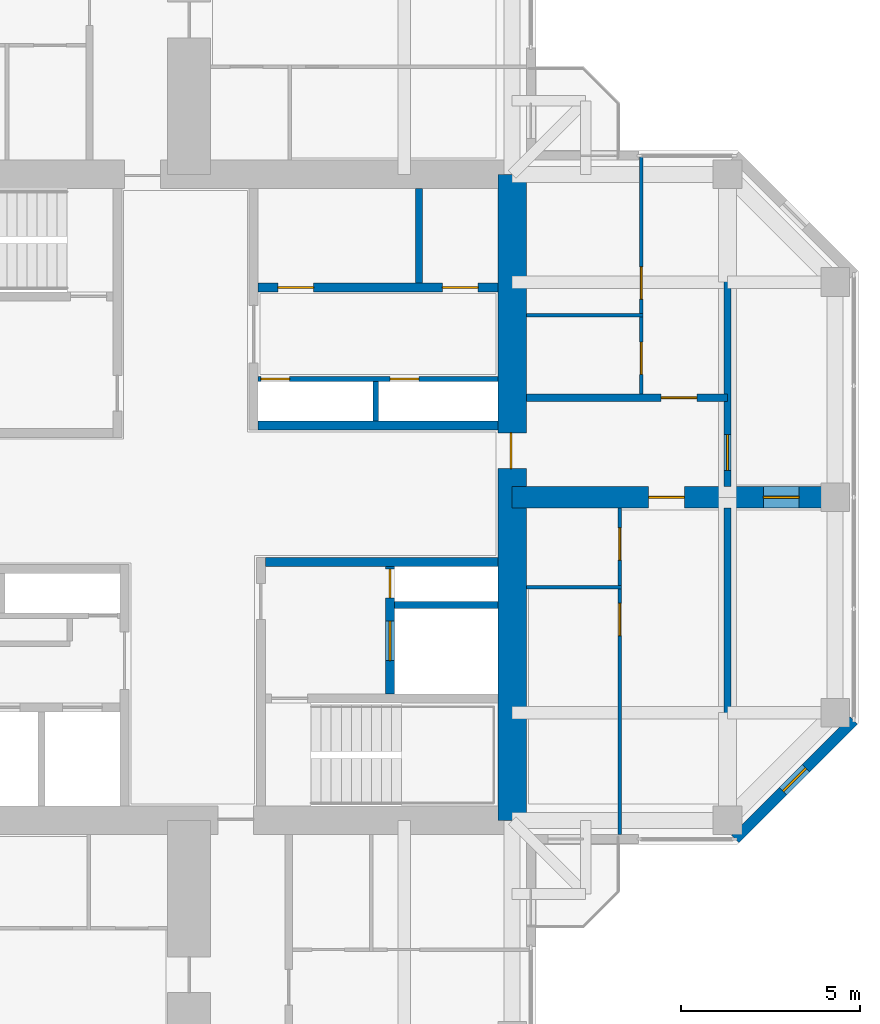
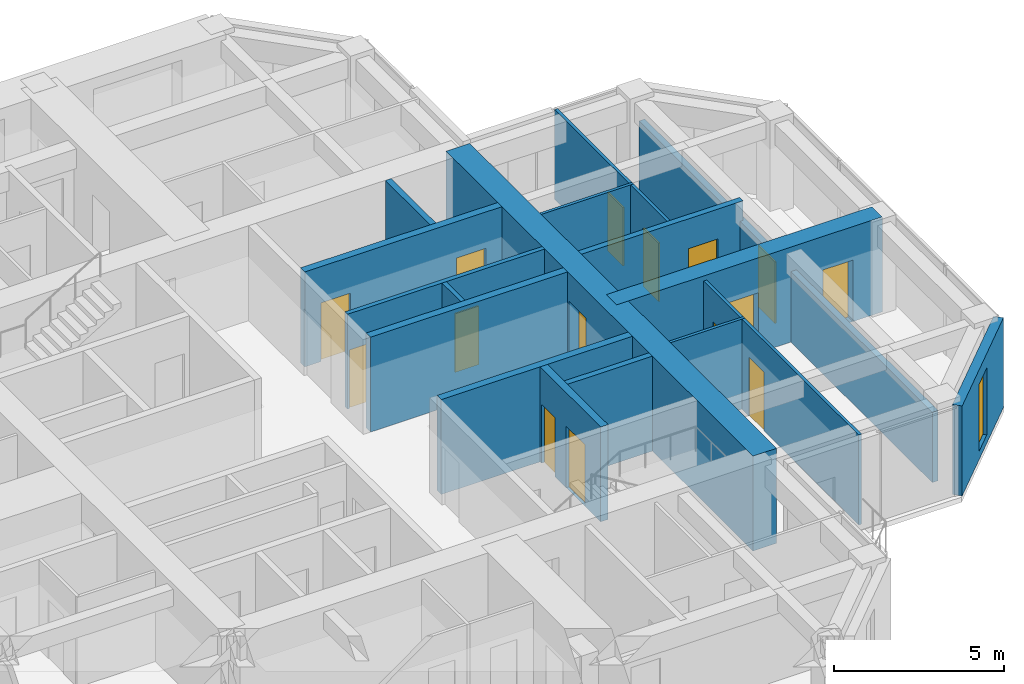
# One storey, part 11 of 13: 18 walls, 15 doors, 1 window, 16 openings.
"""IFC4 building model written with IfcOpenShell, lengths in metres."""

import ifcopenshell
import ifcopenshell.guid

model = None  # the IFC model being written
_history = None  # IfcOwnerHistory: only IFC2X3 demands one
_inside = {}  # id of a spatial element -> (the spatial element, [elements in it])
_under = {}  # id of a project, library or spatial element -> (it, [spatial elements below it])
_declared = {}  # id of a project -> (the project, [libraries it declares])
_typed = {}  # id of a type object -> (the type object, [elements of that type])
_made_of = {}  # id of a material, layer set ... -> (it, [elements and type objects made of it])


def new_model(schema):
    """Start an empty IFC model of exactly this schema.

    Asked for "IFC4X3", IfcOpenShell would pick the latest addendum, in which some entities
    have other attributes; the version numbers below select the first issue.
    IFC2X3 requires an IfcOwnerHistory on every rooted entity: one is made here for all.
    """
    global model, _history
    if schema == "IFC4X3":
        model = ifcopenshell.file(schema_version=(4, 3, 0, 0))
    else:
        model = ifcopenshell.file(schema=schema)
    _inside.clear()
    _under.clear()
    _declared.clear()
    _typed.clear()
    _made_of.clear()
    _history = None
    if model.schema == "IFC2X3":
        org = make("IfcOrganization", Name="unknown")
        user = make(
            "IfcPersonAndOrganization",
            ThePerson=make("IfcPerson", FamilyName="unknown"),
            TheOrganization=org,
        )
        app = make(
            "IfcApplication",
            ApplicationDeveloper=org,
            Version="unknown",
            ApplicationFullName="unknown",
            ApplicationIdentifier="unknown",
        )
        _history = make(
            "IfcOwnerHistory",
            OwningUser=user,
            OwningApplication=app,
            ChangeAction="ADDED",
            CreationDate=0,
        )
    return model


def make(cls, **values):
    """One entity of the class cls with the attributes given. An attribute that is None is left unset."""
    return model.create_entity(
        cls, **{name: value for name, value in values.items() if value is not None}
    )


def rooted(cls, **values):
    """An entity with a GlobalId (a new one), such as an element, a storey or a relation."""
    return make(cls, GlobalId=ifcopenshell.guid.new(), OwnerHistory=_history, **values)


def si_unit(unit_type, name, prefix=None):
    """IfcSIUnit, for example si_unit("LENGTHUNIT", "METRE", prefix="MILLI")."""
    return make("IfcSIUnit", UnitType=unit_type, Prefix=prefix, Name=name)


def assignment(units):
    """IfcUnitAssignment: the units of a project."""
    return None if units is None else make("IfcUnitAssignment", Units=units)


def point(xyz):
    """IfcCartesianPoint."""
    return None if xyz is None else make("IfcCartesianPoint", Coordinates=xyz)


def direction(xyz):
    """IfcDirection."""
    return None if xyz is None else make("IfcDirection", DirectionRatios=xyz)


def frame(location, z_axis=None, x_axis=None):
    """IfcAxis2Placement3D, a coordinate frame: its origin and axes. An axis left out is left unset."""
    return make(
        "IfcAxis2Placement3D",
        Location=point(location),
        Axis=direction(z_axis),
        RefDirection=direction(x_axis),
    )


def frame_2d(location, x_axis=None):
    """IfcAxis2Placement2D, a coordinate frame in the plane: its origin and x axis."""
    return make(
        "IfcAxis2Placement2D", Location=point(location), RefDirection=direction(x_axis)
    )


def origin():
    """The frame at (0, 0, 0) with its axes left unset."""
    return frame((0.0, 0.0, 0.0))


def place(relative_to, where):
    """IfcLocalPlacement: puts the frame where relative to a parent placement (None: the world)."""
    return make(
        "IfcLocalPlacement", PlacementRelTo=relative_to, RelativePlacement=where
    )


def context(
    kind, dimensions, precision=None, world=None, true_north=None, identifier=None
):
    """IfcGeometricRepresentationContext, for example the 3D "Model" context."""
    return make(
        "IfcGeometricRepresentationContext",
        ContextIdentifier=identifier,
        ContextType=kind,
        CoordinateSpaceDimension=dimensions,
        Precision=precision,
        WorldCoordinateSystem=world,
        TrueNorth=true_north,
    )


def subcontext(parent, identifier, kind, view, scale=None):
    """IfcGeometricRepresentationSubContext, for example "Body" below "Model"."""
    return make(
        "IfcGeometricRepresentationSubContext",
        ContextIdentifier=identifier,
        ContextType=kind,
        ParentContext=parent,
        TargetScale=scale,
        TargetView=view,
    )


def project(units=None, contexts=None):
    """IfcProject with its units and contexts."""
    return rooted(
        "IfcProject",
        Name="project",
        RepresentationContexts=contexts,
        UnitsInContext=assignment(units),
    )


def spatial(cls, under=None, at=None, **own):
    """A site, building, storey or space (cls), placed at a placement, below another one or the project."""
    s = rooted(cls, ObjectPlacement=at, **own)
    if under is not None:
        _under.setdefault(under.id(), (under, []))[1].append(s)
    return s


def profile(cls, at=None, kind="AREA", **sizes):
    """A parametric profile (cls). Its sizes go by their IFC names, for example OverallWidth=200.0."""
    return make(cls, ProfileType=kind, Position=at, **sizes)


def rectangle(**sizes):
    """IfcRectangleProfileDef."""
    return profile("IfcRectangleProfileDef", **sizes)


def hollow_rectangle(**sizes):
    """IfcRectangleHollowProfileDef."""
    return profile("IfcRectangleHollowProfileDef", **sizes)


def extrude(swept, where, along, depth):
    """IfcExtrudedAreaSolid: the profile swept, set in the frame where, extruded along a direction by depth."""
    return make(
        "IfcExtrudedAreaSolid",
        SweptArea=swept,
        Position=where,
        ExtrudedDirection=direction(along),
        Depth=depth,
    )


def shape(context_of_items, identifier, shape_type, items):
    """IfcShapeRepresentation: the items that make up one representation, for example the "Body"."""
    return make(
        "IfcShapeRepresentation",
        ContextOfItems=context_of_items,
        RepresentationIdentifier=identifier,
        RepresentationType=shape_type,
        Items=items,
    )


def material(Name=None, Category=None):
    """IfcMaterial."""
    return make("IfcMaterial", Name=Name, Category=Category)


def layer(
    of_material, thickness, ventilated=None, Name=None, Category=None, Priority=None
):
    """IfcMaterialLayer: one layer of a wall or slab, of a material (None: an air gap)."""
    return make(
        "IfcMaterialLayer",
        Material=of_material,
        LayerThickness=thickness,
        IsVentilated=ventilated,
        Name=Name,
        Category=Category,
        Priority=Priority,
    )


def layer_set(layers, Name=None):
    """IfcMaterialLayerSet."""
    return make("IfcMaterialLayerSet", MaterialLayers=layers, LayerSetName=Name)


def constituent(of_material, Name=None, Category=None, fraction=None):
    """IfcMaterialConstituent: one of the materials an element consists of."""
    return make(
        "IfcMaterialConstituent",
        Name=Name,
        Material=of_material,
        Fraction=fraction,
        Category=Category,
    )


def constituent_set(constituents=None, Name=None):
    """IfcMaterialConstituentSet."""
    return make(
        "IfcMaterialConstituentSet", Name=Name, MaterialConstituents=constituents
    )


def made_of(thing, what):
    """Note that an element or type object is made of a material, layer set ...; save() writes the relation."""
    if what is not None:
        _made_of.setdefault(what.id(), (what, []))[1].append(thing)
    return thing


def type_object(cls, material=None, **own):
    """A type object (cls), such as IfcWallType, which elements share."""
    return made_of(rooted(cls, **own), material)


def element(
    cls,
    number,
    at=None,
    inside=None,
    cuts=None,
    type_object=None,
    material=None,
    context=None,
    identifier="Body",
    shape_type=None,
    held_by="IfcProductDefinitionShape",
    body=None,
    shapes=None,
    **own,
):
    """One element of the class cls, such as IfcWall. Its Tag is "e" and its number.

    at: its placement. inside: the storey or other place that contains it. cuts: it is an
    opening in that element (IfcRelVoidsElement). A single representation is given by context,
    identifier, shape_type and body (its items); several are given by shapes. held_by: the class
    of the entity that holds the representations. save() writes the other relations.
    """
    e = rooted(cls, Tag="e%d" % number, ObjectPlacement=at, **own)
    if body is not None:
        shapes = [shape(context, identifier, shape_type, body)]
    if shapes is not None:
        e.Representation = make(held_by, Representations=shapes)
    if inside is not None:
        _inside.setdefault(inside.id(), (inside, []))[1].append(e)
    if cuts is not None:
        rooted(
            "IfcRelVoidsElement", RelatingBuildingElement=cuts, RelatedOpeningElement=e
        )
    if type_object is not None:
        _typed.setdefault(type_object.id(), (type_object, []))[1].append(e)
    return made_of(e, material)


def fill(opening, filler):
    """IfcRelFillsElement: the door or window that sits in an opening."""
    return rooted(
        "IfcRelFillsElement",
        RelatingOpeningElement=opening,
        RelatedBuildingElement=filler,
    )


def aggregate(whole, parts):
    """IfcRelAggregates: a whole, such as a stair, and the parts it consists of."""
    return rooted("IfcRelAggregates", RelatingObject=whole, RelatedObjects=parts)


def save(model, path):
    """Write the relations noted so far, then the file.

    IfcRelAggregates (storeys below a building ...), IfcRelContainedInSpatialStructure (elements
    in a storey), IfcRelDefinesByType, IfcRelAssociatesMaterial and IfcRelDeclares: one each for
    every whole, place, type object, material and project.
    """
    for whole, parts in _under.values():
        aggregate(whole, parts)
    for where, things in _inside.values():
        rooted(
            "IfcRelContainedInSpatialStructure",
            RelatedElements=things,
            RelatingStructure=where,
        )
    for kind, things in _typed.values():
        rooted("IfcRelDefinesByType", RelatedObjects=things, RelatingType=kind)
    for what, things in _made_of.values():
        rooted("IfcRelAssociatesMaterial", RelatedObjects=things, RelatingMaterial=what)
    for by, libraries in _declared.values():
        rooted("IfcRelDeclares", RelatingContext=by, RelatedDefinitions=libraries)
    model.write(path)


model = new_model("IFC4")

# Units and contexts
model_context = context("Model", 3, precision=1e-05, world=origin(), true_north=direction((0.0, 1.0)))
body_context = subcontext(model_context, "Body", "Model", "MODEL_VIEW")
ifc_project = project(units=[si_unit("LENGTHUNIT", "METRE"), si_unit("AREAUNIT", "SQUARE_METRE"), si_unit("VOLUMEUNIT", "CUBIC_METRE"), si_unit("PLANEANGLEUNIT", "RADIAN"), si_unit("MASSUNIT", "GRAM", prefix="KILO")], contexts=[model_context])

# Site, building, storey
site_placement = place(None, origin())
site = spatial("IfcSite", under=ifc_project, at=site_placement, CompositionType="ELEMENT")
building_placement = place(site_placement, origin())
building = spatial("IfcBuilding", under=site, at=building_placement, Name="Torre Cruceta", CompositionType="ELEMENT")
storey_placement = place(building_placement, frame((0.0, 0.0, 239.10009765625)))
storey = spatial("IfcBuildingStorey", under=building, at=storey_placement, Name="L61", CompositionType="ELEMENT", Elevation=239.10009765625)

# Wall
ifc_material_1 = material(Name="Water-resistant plasterboard on steel studs", Category="steel")
ifc_layer_1 = layer(ifc_material_1, 0.10009765625)
ifc_layer_set_1 = layer_set([ifc_layer_1], Name="Water-resistant plasterboard on steel studs")
wall_type_1 = type_object("IfcWallType", Name="BATHROOM WALL 100", PredefinedType="PARTITIONING", material=ifc_layer_set_1)
wall_1_placement = place(storey_placement, frame((9.39990234375, 5.074951171875, 0.0), z_axis=(0.0, 0.0, 1.0), x_axis=(1.0, 0.0, 0.0)))
element("IfcWall", 1, at=wall_1_placement, inside=storey, type_object=wall_type_1, Name="PT4 L61-E-U1LBB", PredefinedType="PARTITIONING", context=body_context, shape_type="SweptSolid", body=[
    extrude(rectangle(XDim=3.25, YDim=0.10009765625, at=frame_2d((1.625, 0.0))), origin(), (0.0, 0.0, 1.0), 3.219970703125),
])

# Wall, openings, doors
wall_2_placement = place(storey_placement, frame((12.60009765625, 2.875, 0.0), z_axis=(0.0, 0.0, 1.0), x_axis=(0.0, 1.0, 0.0)))
wall_2 = element("IfcWall", 2, at=wall_2_placement, inside=storey, type_object=wall_type_1, Name="PT4 L61-E-U1LBS", PredefinedType="PARTITIONING", context=body_context, shape_type="SweptSolid", body=[
    extrude(rectangle(XDim=6.60498046875, YDim=0.10009765625, at=frame_2d((3.302490234375, 0.0))), origin(), (0.0, 0.0, 1.0), 3.219970703125),
])
opening_1_placement = place(wall_2_placement, frame((0.550048828125, 0.0, 0.0)))
opening_1 = element("IfcOpeningElement", 3, at=opening_1_placement, cuts=wall_2, Name="Opening D7", PredefinedType="OPENING", context=body_context, shape_type="SweptSolid", body=[
    extrude(rectangle(XDim=0.89990234375, YDim=2.10009765625, at=frame_2d((0.449951171875, 1.050048828125))), frame((0.0, 0.06005859375, 0.0), z_axis=(0.0, -1.0, 0.0), x_axis=(1.0, 0.0, 0.0)), (0.0, 0.0, 1.0), 0.1201171875),
])
opening_2_placement = place(wall_2_placement, frame((2.64990234375, 0.0, 0.0)))
opening_2 = element("IfcOpeningElement", 4, at=opening_2_placement, cuts=wall_2, Name="Opening D7", PredefinedType="OPENING", context=body_context, shape_type="SweptSolid", body=[
    extrude(rectangle(XDim=0.89990234375, YDim=2.10009765625, at=frame_2d((0.449951171875, 1.050048828125))), frame((0.0, 0.06005859375, 0.0), z_axis=(0.0, -1.0, 0.0), x_axis=(1.0, 0.0, 0.0)), (0.0, 0.0, 1.0), 0.1201171875),
])
ifc_material_2 = material(Name="Timber door", Category="wood")
door_type_1 = type_object("IfcDoorType", Name="BATHROOM DOOR 900X2100", OperationType="SINGLE_SWING_LEFT", PredefinedType="DOOR", material=ifc_material_2)
door_1_placement = place(opening_1_placement, origin())
door_1 = element("IfcDoor", 5, at=door_1_placement, inside=storey, type_object=door_type_1, Name="D7 L61-E-U1LBS-D1", OperationType="SINGLE_SWING_LEFT", OverallHeight=2.10009765625, OverallWidth=0.89990234375, PredefinedType="DOOR", context=body_context, shape_type="SweptSolid", body=[
    extrude(rectangle(XDim=0.89990234375, YDim=2.10009765625, at=frame_2d((0.449951171875, 1.050048828125))), frame((0.0, 0.02490234375, 0.0), z_axis=(0.0, -1.0, 0.0), x_axis=(1.0, 0.0, 0.0)), (0.0, 0.0, 1.0), 0.050048828125),
])
fill(opening_1, door_1)
door_2_placement = place(opening_2_placement, origin())
door_2 = element("IfcDoor", 6, at=door_2_placement, inside=storey, type_object=door_type_1, Name="D7 L61-E-U1LBS-D2", OperationType="SINGLE_SWING_LEFT", OverallHeight=2.10009765625, OverallWidth=0.89990234375, PredefinedType="DOOR", context=body_context, shape_type="SweptSolid", body=[
    extrude(rectangle(XDim=0.89990234375, YDim=2.10009765625, at=frame_2d((0.449951171875, 1.050048828125))), frame((0.0, 0.02490234375, 0.0), z_axis=(0.0, -1.0, 0.0), x_axis=(1.0, 0.0, 0.0)), (0.0, 0.0, 1.0), 0.050048828125),
])
fill(opening_2, door_2)

# Wall
wall_3_placement = place(storey_placement, frame((9.39990234375, -2.5, 0.0), z_axis=(0.0, 0.0, 1.0), x_axis=(1.0, 0.0, 0.0)))
element("IfcWall", 7, at=wall_3_placement, inside=storey, type_object=wall_type_1, Name="PT4 L61-E-U1RBB", PredefinedType="PARTITIONING", context=body_context, shape_type="SweptSolid", body=[
    extrude(rectangle(XDim=2.650146484375, YDim=0.10009765625, at=frame_2d((1.3251953125, 0.0))), origin(), (0.0, 0.0, 1.0), 3.219970703125),
])

# Wall, openings, doors
wall_4_placement = place(storey_placement, frame((12.0, -9.39501953125, 0.0), z_axis=(0.0, 0.0, 1.0), x_axis=(0.0, 1.0, 0.0)))
wall_4 = element("IfcWall", 8, at=wall_4_placement, inside=storey, type_object=wall_type_1, Name="PT4 L61-E-U1RBS", PredefinedType="PARTITIONING", context=body_context, shape_type="SweptSolid", body=[
    extrude(rectangle(XDim=9.094970703125, YDim=0.10009765625, at=frame_2d((4.54736328125, 0.0))), origin(), (0.0, 0.0, 1.0), 3.219970703125),
])
opening_3_placement = place(wall_4_placement, frame((5.544921875, 0.0, 0.0)))
opening_3 = element("IfcOpeningElement", 9, at=opening_3_placement, cuts=wall_4, Name="Opening D7", PredefinedType="OPENING", context=body_context, shape_type="SweptSolid", body=[
    extrude(rectangle(XDim=0.89990234375, YDim=2.10009765625, at=frame_2d((0.449951171875, 1.050048828125))), frame((0.0, 0.06005859375, 0.0), z_axis=(0.0, -1.0, 0.0), x_axis=(1.0, 0.0, 0.0)), (0.0, 0.0, 1.0), 0.1201171875),
])
opening_4_placement = place(wall_4_placement, frame((7.64501953125, 0.0, 0.0)))
opening_4 = element("IfcOpeningElement", 10, at=opening_4_placement, cuts=wall_4, Name="Opening D7", PredefinedType="OPENING", context=body_context, shape_type="SweptSolid", body=[
    extrude(rectangle(XDim=0.89990234375, YDim=2.10009765625, at=frame_2d((0.449951171875, 1.050048828125))), frame((0.0, 0.06005859375, 0.0), z_axis=(0.0, -1.0, 0.0), x_axis=(1.0, 0.0, 0.0)), (0.0, 0.0, 1.0), 0.1201171875),
])
door_3_placement = place(opening_3_placement, origin())
door_3 = element("IfcDoor", 11, at=door_3_placement, inside=storey, type_object=door_type_1, Name="D7 L61-E-U1RBS-D1", OperationType="SINGLE_SWING_RIGHT", OverallHeight=2.10009765625, OverallWidth=0.89990234375, PredefinedType="DOOR", context=body_context, shape_type="SweptSolid", body=[
    extrude(rectangle(XDim=0.89990234375, YDim=2.10009765625, at=frame_2d((0.449951171875, 1.050048828125))), frame((0.0, 0.02490234375, 0.0), z_axis=(0.0, -1.0, 0.0), x_axis=(1.0, 0.0, 0.0)), (0.0, 0.0, 1.0), 0.050048828125),
])
fill(opening_3, door_3)
door_4_placement = place(opening_4_placement, origin())
door_4 = element("IfcDoor", 12, at=door_4_placement, inside=storey, type_object=door_type_1, Name="D7 L61-E-U1RBS-D2", OperationType="SINGLE_SWING_RIGHT", OverallHeight=2.10009765625, OverallWidth=0.89990234375, PredefinedType="DOOR", context=body_context, shape_type="SweptSolid", body=[
    extrude(rectangle(XDim=0.89990234375, YDim=2.10009765625, at=frame_2d((0.449951171875, 1.050048828125))), frame((0.0, 0.02490234375, 0.0), z_axis=(0.0, -1.0, 0.0), x_axis=(1.0, 0.0, 0.0)), (0.0, 0.0, 1.0), 0.050048828125),
])
fill(opening_4, door_4)

# Wall
ifc_material_3 = material(Name="Concrete G60 (fck 60 MPa)", Category="concrete")
ifc_layer_2 = layer(ifc_material_3, 0.25)
ifc_layer_set_2 = layer_set([ifc_layer_2], Name="Concrete G60 (fck 60 MPa)")
wall_type_2 = type_object("IfcWallType", Name="CORE INNER WALL 250 G60", PredefinedType="SHEAR", material=ifc_layer_set_2)
wall_5_placement = place(storey_placement, frame((1.925048828125, 2.0, 0.0), z_axis=(0.0, 0.0, 1.0), x_axis=(1.0, 0.0, 0.0)))
element("IfcWall", 13, at=wall_5_placement, inside=storey, type_object=wall_type_2, Name="CW4 L61 NE-CV", PredefinedType="SHEAR", context=body_context, shape_type="SweptSolid", body=[
    extrude(rectangle(XDim=6.675048828125, YDim=0.25, at=frame_2d((3.33740234375, 0.0))), origin(), (0.0, 0.0, 1.0), 3.39990234375),
])

# Wall, openings, doors
wall_6_placement = place(storey_placement, frame((1.925048828125, 5.85009765625, 0.0), z_axis=(0.0, 0.0, 1.0), x_axis=(1.0, 0.0, 0.0)))
wall_6 = element("IfcWall", 14, at=wall_6_placement, inside=storey, type_object=wall_type_2, Name="CW4 L61 NE-LV", PredefinedType="SHEAR", context=body_context, shape_type="SweptSolid", body=[
    extrude(rectangle(XDim=6.675048828125, YDim=0.25, at=frame_2d((3.33740234375, 0.0))), origin(), (0.0, 0.0, 1.0), 3.39990234375),
])
opening_5_placement = place(wall_6_placement, frame((0.5458984375, 0.0, 0.0)))
opening_5 = element("IfcOpeningElement", 15, at=opening_5_placement, cuts=wall_6, Name="Opening D3", PredefinedType="OPENING", context=body_context, shape_type="SweptSolid", body=[
    extrude(rectangle(XDim=1.0, YDim=2.10009765625, at=frame_2d((0.5, 1.050048828125))), frame((0.0, 0.135009765625, 0.0), z_axis=(0.0, -1.0, 0.0), x_axis=(1.0, 0.0, 0.0)), (0.0, 0.0, 1.0), 0.27001953125),
])
opening_6_placement = place(wall_6_placement, frame((5.129150390625, 0.0, 0.0)))
opening_6 = element("IfcOpeningElement", 16, at=opening_6_placement, cuts=wall_6, Name="Opening D3", PredefinedType="OPENING", context=body_context, shape_type="SweptSolid", body=[
    extrude(rectangle(XDim=1.0, YDim=2.10009765625, at=frame_2d((0.5, 1.050048828125))), frame((0.0, 0.135009765625, 0.0), z_axis=(0.0, -1.0, 0.0), x_axis=(1.0, 0.0, 0.0)), (0.0, 0.0, 1.0), 0.27001953125),
])
ifc_material_4 = material(Name="Steel DX51D", Category="steel")
ifc_constituent_1 = constituent(ifc_material_4, Name="Leaf and frame")
ifc_material_5 = material(Name="Polyester powder coating", Category="paint")
ifc_constituent_2 = constituent(ifc_material_5, Name="Finish")
ifc_constituent_set_1 = constituent_set(constituents=[ifc_constituent_1, ifc_constituent_2], Name="Steel fire door")
door_type_2 = type_object("IfcDoorType", Name="FIRE DOOR 1000X2100", OperationType="SINGLE_SWING_LEFT", PredefinedType="DOOR", material=ifc_constituent_set_1)
door_5_placement = place(opening_5_placement, origin())
door_5 = element("IfcDoor", 17, at=door_5_placement, inside=storey, type_object=door_type_2, Name="D3 L61 NE-HR1", OperationType="SINGLE_SWING_LEFT", OverallHeight=2.10009765625, OverallWidth=1.0, PredefinedType="DOOR", context=body_context, shape_type="SweptSolid", body=[
    extrude(rectangle(XDim=1.0, YDim=2.10009765625, at=frame_2d((0.5, 1.050048828125))), frame((0.0, 0.02490234375, 0.0), z_axis=(0.0, -1.0, 0.0), x_axis=(1.0, 0.0, 0.0)), (0.0, 0.0, 1.0), 0.050048828125),
])
fill(opening_5, door_5)
door_6_placement = place(opening_6_placement, origin())
door_6 = element("IfcDoor", 18, at=door_6_placement, inside=storey, type_object=door_type_2, Name="D3 L61 NE-HR2", OperationType="SINGLE_SWING_RIGHT", OverallHeight=2.10009765625, OverallWidth=1.0, PredefinedType="DOOR", context=body_context, shape_type="SweptSolid", body=[
    extrude(rectangle(XDim=1.0, YDim=2.10009765625, at=frame_2d((0.5, 1.050048828125))), frame((0.0, 0.02490234375, 0.0), z_axis=(0.0, -1.0, 0.0), x_axis=(1.0, 0.0, 0.0)), (0.0, 0.0, 1.0), 0.050048828125),
])
fill(opening_6, door_6)

# Wall
wall_7_placement = place(storey_placement, frame((2.125, -1.800048828125, 0.0), z_axis=(0.0, 0.0, 1.0), x_axis=(1.0, 0.0, 0.0)))
element("IfcWall", 19, at=wall_7_placement, inside=storey, type_object=wall_type_2, Name="CW4 L61 SE-CV", PredefinedType="SHEAR", context=body_context, shape_type="SweptSolid", body=[
    extrude(rectangle(XDim=6.47509765625, YDim=0.25, at=frame_2d((3.237548828125, 0.0))), origin(), (0.0, 0.0, 1.0), 3.39990234375),
])

# Wall, openings, doors
wall_8_placement = place(storey_placement, frame((5.60009765625, -1.925048828125, 0.0), z_axis=(0.0, 0.0, 1.0), x_axis=(0.0, -1.0, 0.0)))
wall_8 = element("IfcWall", 20, at=wall_8_placement, inside=storey, type_object=wall_type_2, Name="CW4 L61 SE-FU", PredefinedType="SHEAR", context=body_context, shape_type="SweptSolid", body=[
    extrude(rectangle(XDim=3.550048828125, YDim=0.25, at=frame_2d((1.77490234375, 0.0))), origin(), (0.0, 0.0, 1.0), 3.39990234375),
])
opening_7_placement = place(wall_8_placement, frame((1.52490234375, 0.0, 0.0)))
opening_7 = element("IfcOpeningElement", 21, at=opening_7_placement, cuts=wall_8, Name="Opening LD1", PredefinedType="OPENING", context=body_context, shape_type="SweptSolid", body=[
    extrude(rectangle(XDim=1.10009765625, YDim=2.199951171875, at=frame_2d((0.550048828125, 1.10009765625))), frame((0.0, 0.135009765625, 0.0), z_axis=(0.0, -1.0, 0.0), x_axis=(1.0, 0.0, 0.0)), (0.0, 0.0, 1.0), 0.27001953125),
])
opening_8_placement = place(wall_8_placement, frame((0.074951171875, 0.0, 0.0)))
opening_8 = element("IfcOpeningElement", 22, at=opening_8_placement, cuts=wall_8, Name="Opening D5", PredefinedType="OPENING", context=body_context, shape_type="SweptSolid", body=[
    extrude(rectangle(XDim=0.800048828125, YDim=2.10009765625, at=frame_2d((0.39990234375, 1.050048828125))), frame((0.0, 0.135009765625, 0.0), z_axis=(0.0, -1.0, 0.0), x_axis=(1.0, 0.0, 0.0)), (0.0, 0.0, 1.0), 0.27001953125),
])
ifc_material_6 = material(Name="Stainless steel 1.4401", Category="steel")
door_type_3 = type_object("IfcDoorType", Name="LIFT LANDING DOOR 1100X2200", OperationType="DOUBLE_DOOR_SLIDING", PredefinedType="DOOR", material=ifc_material_6)
door_7_placement = place(opening_7_placement, origin())
door_7 = element("IfcDoor", 23, at=door_7_placement, inside=storey, type_object=door_type_3, Name="Lift landing door FL2", OperationType="DOUBLE_DOOR_SLIDING", OverallHeight=2.199951171875, OverallWidth=1.10009765625, PredefinedType="DOOR", context=body_context, shape_type="SweptSolid", body=[
    extrude(rectangle(XDim=1.10009765625, YDim=2.199951171875, at=frame_2d((0.550048828125, 1.10009765625))), frame((0.0, 0.02490234375, 0.0), z_axis=(0.0, -1.0, 0.0), x_axis=(1.0, 0.0, 0.0)), (0.0, 0.0, 1.0), 0.050048828125),
])
fill(opening_7, door_7)
ifc_material_7 = material(Name="Steel DX51D", Category="steel")
ifc_constituent_3 = constituent(ifc_material_7, Name="Leaf and frame")
ifc_material_8 = material(Name="Polyester powder coating", Category="paint")
ifc_constituent_4 = constituent(ifc_material_8, Name="Finish")
ifc_constituent_set_2 = constituent_set(constituents=[ifc_constituent_3, ifc_constituent_4], Name="Steel fire door")
door_type_4 = type_object("IfcDoorType", Name="RISER ACCESS DOOR 800X2100", OperationType="SINGLE_SWING_LEFT", PredefinedType="DOOR", material=ifc_constituent_set_2)
door_8_placement = place(opening_8_placement, origin())
door_8 = element("IfcDoor", 24, at=door_8_placement, inside=storey, type_object=door_type_4, Name="D5 L61 SE-RISER", OperationType="SINGLE_SWING_LEFT", OverallHeight=2.10009765625, OverallWidth=0.800048828125, PredefinedType="DOOR", context=body_context, shape_type="SweptSolid", body=[
    extrude(rectangle(XDim=0.800048828125, YDim=2.10009765625, at=frame_2d((0.39990234375, 1.050048828125))), frame((0.0, 0.02490234375, 0.0), z_axis=(0.0, -1.0, 0.0), x_axis=(1.0, 0.0, 0.0)), (0.0, 0.0, 1.0), 0.050048828125),
])
fill(opening_8, door_8)

# Wall, opening, door
ifc_material_9 = material(Name="Concrete G60 (fck 60 MPa)", Category="concrete")
ifc_layer_3 = layer(ifc_material_9, 0.800048828125)
ifc_layer_set_3 = layer_set([ifc_layer_3], Name="Concrete G60 (fck 60 MPa)")
wall_type_3 = type_object("IfcWallType", Name="CORE WALL 800 G60", PredefinedType="SHEAR", material=ifc_layer_set_3)
wall_9_placement = place(storey_placement, frame((9.0, -9.0, 0.0), z_axis=(0.0, 0.0, 1.0), x_axis=(0.0, 1.0, 0.0)))
wall_9 = element("IfcWall", 25, at=wall_9_placement, inside=storey, type_object=wall_type_3, Name="CW3 L61 CW-E", PredefinedType="SHEAR", context=body_context, shape_type="SweptSolid", body=[
    extrude(rectangle(XDim=18.0, YDim=0.800048828125, at=frame_2d((9.0, 0.0))), origin(), (0.0, 0.0, 1.0), 3.39990234375),
])
opening_9_placement = place(wall_9_placement, frame((9.800048828125, 0.0, 0.0)))
opening_9 = element("IfcOpeningElement", 26, at=opening_9_placement, cuts=wall_9, Name="Opening D4", PredefinedType="OPENING", context=body_context, shape_type="SweptSolid", body=[
    extrude(rectangle(XDim=1.0, YDim=2.39990234375, at=frame_2d((0.5, 1.199951171875))), frame((0.0, 0.409912109375, 0.0), z_axis=(0.0, -1.0, 0.0), x_axis=(1.0, 0.0, 0.0)), (0.0, 0.0, 1.0), 0.820068359375),
])
ifc_material_10 = material(Name="Steel DX51D", Category="steel")
ifc_constituent_5 = constituent(ifc_material_10, Name="Leaf and frame")
ifc_material_11 = material(Name="Polyester powder coating", Category="paint")
ifc_constituent_6 = constituent(ifc_material_11, Name="Finish")
ifc_constituent_set_3 = constituent_set(constituents=[ifc_constituent_5, ifc_constituent_6], Name="Steel fire door")
door_type_5 = type_object("IfcDoorType", Name="CORE ARM DOOR 1000X2400", OperationType="SINGLE_SWING_RIGHT", PredefinedType="DOOR", material=ifc_constituent_set_3)
door_9_placement = place(opening_9_placement, origin())
door_9 = element("IfcDoor", 27, at=door_9_placement, inside=storey, type_object=door_type_5, Name="D4 L61 CW-E", OperationType="SINGLE_SWING_RIGHT", OverallHeight=2.39990234375, OverallWidth=1.0, PredefinedType="DOOR", context=body_context, shape_type="SweptSolid", body=[
    extrude(rectangle(XDim=1.0, YDim=2.39990234375, at=frame_2d((0.5, 1.199951171875))), frame((0.0, 0.05517578125, 0.0), z_axis=(0.0, -1.0, 0.0), x_axis=(1.0, 0.0, 0.0)), (0.0, 0.0, 1.0), 0.050048828125),
])
fill(opening_9, door_9)

ifc_material_12 = material(Name="Concrete G25 (fck 25 MPa)", Category="concrete")
ifc_layer_4 = layer(ifc_material_12, 0.199951171875)
ifc_layer_set_4 = layer_set([ifc_layer_4], Name="Concrete G25 (fck 25 MPa)")
wall_type_4 = type_object("IfcWallType", Name="CORRIDOR WALL 200", PredefinedType="SOLIDWALL", material=ifc_layer_set_4)
wall_10_placement = place(storey_placement, frame((9.39990234375, 2.77490234375, 0.0), z_axis=(0.0, 0.0, 1.0), x_axis=(1.0, 0.0, 0.0)))
wall_10 = element("IfcWall", 28, at=wall_10_placement, inside=storey, type_object=wall_type_4, Name="PT3 L61-E-CL", PredefinedType="SOLIDWALL", context=body_context, shape_type="SweptSolid", body=[
    extrude(rectangle(XDim=5.60009765625, YDim=0.199951171875, at=frame_2d((2.800048828125, 0.0))), origin(), (0.0, 0.0, 1.0), 3.219970703125),
])
opening_10_placement = place(wall_10_placement, frame((3.75, 0.0, 0.0)))
opening_10 = element("IfcOpeningElement", 29, at=opening_10_placement, cuts=wall_10, Name="Opening D6", PredefinedType="OPENING", context=body_context, shape_type="SweptSolid", body=[
    extrude(rectangle(XDim=1.0, YDim=2.14990234375, at=frame_2d((0.5, 1.074951171875))), frame((0.0, 0.10986328125, 0.0), z_axis=(0.0, -1.0, 0.0), x_axis=(1.0, 0.0, 0.0)), (0.0, 0.0, 1.0), 0.219970703125),
])
ifc_material_13 = material(Name="Timber fire door", Category="wood")
door_type_6 = type_object("IfcDoorType", Name="UNIT ENTRANCE DOOR 1000X2150", OperationType="SINGLE_SWING_LEFT", PredefinedType="DOOR", material=ifc_material_13)
door_10_placement = place(opening_10_placement, origin())
door_10 = element("IfcDoor", 30, at=door_10_placement, inside=storey, type_object=door_type_6, Name="D6 L61-E-CL-D1", OperationType="SINGLE_SWING_LEFT", OverallHeight=2.14990234375, OverallWidth=1.0, PredefinedType="DOOR", context=body_context, shape_type="SweptSolid", body=[
    extrude(rectangle(XDim=1.0, YDim=2.14990234375, at=frame_2d((0.5, 1.074951171875))), frame((0.0, 0.02490234375, 0.0), z_axis=(0.0, -1.0, 0.0), x_axis=(1.0, 0.0, 0.0)), (0.0, 0.0, 1.0), 0.050048828125),
])
fill(opening_10, door_10)

# Wall, opening, window
ifc_material_14 = material(Name="Concrete G30 (fck 30 MPa)", Category="concrete")
ifc_layer_5 = layer(ifc_material_14, 0.300048828125)
ifc_layer_set_5 = layer_set([ifc_layer_5], Name="Concrete G30 (fck 30 MPa)")
wall_type_5 = type_object("IfcWallType", Name="EXPOSED CONCRETE FACADE WALL 300", PredefinedType="SOLIDWALL", material=ifc_layer_set_5)
wall_11_placement = place(storey_placement, frame((15.21533203125, -9.52001953125, 0.0), z_axis=(0.0, 0.0, 1.0), x_axis=(0.707106781187, 0.707106781187, 0.0)))
wall_11 = element("IfcWall", 31, at=wall_11_placement, inside=storey, type_object=wall_type_5, Name="EW1 facade wall L61 E chamfer 01", PredefinedType="SOLIDWALL", context=body_context, shape_type="SweptSolid", body=[
    extrude(rectangle(XDim=4.673583984375, YDim=0.300048828125, at=frame_2d((2.3369140625, 0.0))), origin(), (0.0, 0.0, 1.0), 3.219970703125),
])
opening_11_placement = place(wall_11_placement, frame((1.88671875, 0.0, 0.300048828125)))
opening_11 = element("IfcOpeningElement", 32, at=opening_11_placement, cuts=wall_11, Name="Opening WN5", PredefinedType="OPENING", context=body_context, shape_type="SweptSolid", body=[
    extrude(rectangle(XDim=0.89990234375, YDim=2.39990234375, at=frame_2d((0.449951171875, 1.199951171875))), frame((0.0, 0.159912109375, 0.0), z_axis=(0.0, -1.0, 0.0), x_axis=(1.0, 0.0, 0.0)), (0.0, 0.0, 1.0), 0.320068359375),
])
ifc_material_15 = material(Name="Aluminium window frame", Category="aluminium")
ifc_constituent_7 = constituent(ifc_material_15, Name="Frame")
ifc_material_16 = material(Name="Laminated insulating glass unit, low-iron clear", Category="glass")
ifc_constituent_8 = constituent(ifc_material_16, Name="Glazing")
ifc_constituent_set_4 = constituent_set(constituents=[ifc_constituent_7, ifc_constituent_8], Name="Aluminium window")
window_type = type_object("IfcWindowType", Name="CHAMFER SLOT WINDOW 900X2400", PartitioningType="SINGLE_PANEL", PredefinedType="WINDOW", material=ifc_constituent_set_4)
window_placement = place(opening_11_placement, origin())
window = element("IfcWindow", 33, at=window_placement, inside=storey, type_object=window_type, Name="WN5 L61 E 1", OverallHeight=2.39990234375, OverallWidth=0.89990234375, PartitioningType="SINGLE_PANEL", PredefinedType="WINDOW", context=body_context, shape_type="SweptSolid", body=[
    extrude(hollow_rectangle(XDim=0.89990234375, YDim=2.39990234375, WallThickness=0.06005859375, at=frame_2d((0.449951171875, 1.199951171875))), frame((0.0, 0.030029296875, 0.0), z_axis=(0.0, -1.0, 0.0), x_axis=(1.0, 0.0, 0.0)), (0.0, 0.0, 1.0), 0.06005859375),
    extrude(rectangle(XDim=0.77880859375, YDim=2.27880859375, at=frame_2d((0.449951171875, 1.199951171875))), frame((0.0, 0.030029296875, 0.0), z_axis=(0.0, -1.0, 0.0), x_axis=(1.0, 0.0, 0.0)), (0.0, 0.0, 1.0), 0.06005859375),
])
fill(opening_11, window)

# Walls
ifc_material_17 = material(Name="Concrete G35 (fck 35 MPa)", Category="concrete")
ifc_layer_6 = layer(ifc_material_17, 0.199951171875)
ifc_layer_set_6 = layer_set([ifc_layer_6], Name="Concrete G35 (fck 35 MPa)")
wall_type_6 = type_object("IfcWallType", Name="LIFT SHAFT WALL 200", PredefinedType="PARTITIONING", material=ifc_layer_set_6)
wall_12_placement = place(storey_placement, frame((6.408447265625, 5.97509765625, 0.0), z_axis=(0.0, 0.0, 1.0), x_axis=(0.0, 1.0, 0.0)))
element("IfcWall", 34, at=wall_12_placement, inside=storey, type_object=wall_type_6, Name="SW1 L61 NE-LS2", PredefinedType="PARTITIONING", context=body_context, shape_type="SweptSolid", body=[
    extrude(rectangle(XDim=2.625, YDim=0.199951171875, at=frame_2d((1.3125, 0.0))), origin(), (0.0, 0.0, 1.0), 3.39990234375),
])
wall_13_placement = place(storey_placement, frame((5.72509765625, -3.0, 0.0), z_axis=(0.0, 0.0, 1.0), x_axis=(1.0, 0.0, 0.0)))
element("IfcWall", 35, at=wall_13_placement, inside=storey, type_object=wall_type_6, Name="SW1 L61 SE-FR", PredefinedType="PARTITIONING", context=body_context, shape_type="SweptSolid", body=[
    extrude(rectangle(XDim=2.875, YDim=0.199951171875, at=frame_2d((1.4375, 0.0))), origin(), (0.0, 0.0, 1.0), 3.39990234375),
])

# Wall, openings, doors
ifc_material_18 = material(Name="Concrete block masonry", Category="masonry")
ifc_layer_7 = layer(ifc_material_18, 0.14990234375)
ifc_layer_set_7 = layer_set([ifc_layer_7], Name="Concrete block masonry")
wall_type_7 = type_object("IfcWallType", Name="RISER WALL 150", PredefinedType="PARTITIONING", material=ifc_layer_set_7)
wall_14_placement = place(storey_placement, frame((1.925048828125, 3.300048828125, 0.0), z_axis=(0.0, 0.0, 1.0), x_axis=(1.0, 0.0, 0.0)))
wall_14 = element("IfcWall", 36, at=wall_14_placement, inside=storey, type_object=wall_type_7, Name="SW7 L61 NE-RV", PredefinedType="PARTITIONING", context=body_context, shape_type="SweptSolid", body=[
    extrude(rectangle(XDim=6.675048828125, YDim=0.14990234375, at=frame_2d((3.33740234375, 0.0))), origin(), (0.0, 0.0, 1.0), 3.39990234375),
])
opening_12_placement = place(wall_14_placement, frame((0.074951171875, 0.0, 0.0)))
opening_12 = element("IfcOpeningElement", 37, at=opening_12_placement, cuts=wall_14, Name="Opening D5", PredefinedType="OPENING", context=body_context, shape_type="SweptSolid", body=[
    extrude(rectangle(XDim=0.800048828125, YDim=2.10009765625, at=frame_2d((0.39990234375, 1.050048828125))), frame((0.0, 0.0849609375, 0.0), z_axis=(0.0, -1.0, 0.0), x_axis=(1.0, 0.0, 0.0)), (0.0, 0.0, 1.0), 0.169921875),
])
opening_13_placement = place(wall_14_placement, frame((3.675048828125, 0.0, 0.0)))
opening_13 = element("IfcOpeningElement", 38, at=opening_13_placement, cuts=wall_14, Name="Opening D5", PredefinedType="OPENING", context=body_context, shape_type="SweptSolid", body=[
    extrude(rectangle(XDim=0.800048828125, YDim=2.10009765625, at=frame_2d((0.39990234375, 1.050048828125))), frame((0.0, 0.0849609375, 0.0), z_axis=(0.0, -1.0, 0.0), x_axis=(1.0, 0.0, 0.0)), (0.0, 0.0, 1.0), 0.169921875),
])
door_11_placement = place(opening_12_placement, frame((0.800048828125, 0.0, 0.0), z_axis=(0.0, 0.0, 1.0), x_axis=(-1.0, 0.0, 0.0)))
door_11 = element("IfcDoor", 39, at=door_11_placement, inside=storey, type_object=door_type_4, Name="D5 L61 NE-RISER1", OperationType="SINGLE_SWING_RIGHT", OverallHeight=2.10009765625, OverallWidth=0.800048828125, PredefinedType="DOOR", context=body_context, shape_type="SweptSolid", body=[
    extrude(rectangle(XDim=0.800048828125, YDim=2.10009765625, at=frame_2d((0.400146484375, 1.050048828125))), frame((0.0, 0.025146484375, 0.0), z_axis=(0.0, -1.0, 0.0), x_axis=(1.0, 0.0, 0.0)), (0.0, 0.0, 1.0), 0.050048828125),
])
fill(opening_12, door_11)
door_12_placement = place(opening_13_placement, frame((0.800048828125, 0.0, 0.0), z_axis=(0.0, 0.0, 1.0), x_axis=(-1.0, 0.0, 0.0)))
door_12 = element("IfcDoor", 40, at=door_12_placement, inside=storey, type_object=door_type_4, Name="D5 L61 NE-RISER2", OperationType="SINGLE_SWING_RIGHT", OverallHeight=2.10009765625, OverallWidth=0.800048828125, PredefinedType="DOOR", context=body_context, shape_type="SweptSolid", body=[
    extrude(rectangle(XDim=0.800048828125, YDim=2.10009765625, at=frame_2d((0.400146484375, 1.050048828125))), frame((0.0, 0.025146484375, 0.0), z_axis=(0.0, -1.0, 0.0), x_axis=(1.0, 0.0, 0.0)), (0.0, 0.0, 1.0), 0.050048828125),
])
fill(opening_13, door_12)

# Wall
wall_15_placement = place(storey_placement, frame((5.199951171875, 2.125, 0.0), z_axis=(0.0, 0.0, 1.0), x_axis=(0.0, 1.0, 0.0)))
element("IfcWall", 41, at=wall_15_placement, inside=storey, type_object=wall_type_7, Name="SW7 L61 NE-RU", PredefinedType="PARTITIONING", context=body_context, shape_type="SweptSolid", body=[
    extrude(rectangle(XDim=1.10009765625, YDim=0.14990234375, at=frame_2d((0.550048828125, 0.0))), origin(), (0.0, 0.0, 1.0), 3.39990234375),
])

# Wall, openings, doors
ifc_material_19 = material(Name="Concrete G60 (fck 60 MPa)", Category="concrete")
ifc_layer_8 = layer(ifc_material_19, 0.60009765625)
ifc_layer_set_8 = layer_set([ifc_layer_8], Name="Concrete G60 (fck 60 MPa)")
wall_type_8 = type_object("IfcWallType", Name="SPINE WALL 600 G60", PredefinedType="SHEAR", material=ifc_layer_set_8)
wall_16_placement = place(storey_placement, frame((9.0, 0.0, 0.0), z_axis=(0.0, 0.0, 1.0), x_axis=(1.0, 0.0, 0.0)))
wall_16 = element("IfcWall", 42, at=wall_16_placement, inside=storey, type_object=wall_type_8, Name="SW5 spine wall L61 E", PredefinedType="SHEAR", context=body_context, shape_type="SweptSolid", body=[
    extrude(rectangle(XDim=9.0, YDim=0.60009765625, at=frame_2d((4.5, 0.0))), origin(), (0.0, 0.0, 1.0), 3.39990234375),
])
opening_14_placement = place(wall_16_placement, frame((3.800048828125, 0.0, 0.0)))
opening_14 = element("IfcOpeningElement", 43, at=opening_14_placement, cuts=wall_16, Name="Opening D6", PredefinedType="OPENING", context=body_context, shape_type="SweptSolid", body=[
    extrude(rectangle(XDim=1.0, YDim=2.14990234375, at=frame_2d((0.5, 1.074951171875))), frame((0.0, 0.31005859375, 0.0), z_axis=(0.0, -1.0, 0.0), x_axis=(1.0, 0.0, 0.0)), (0.0, 0.0, 1.0), 0.6201171875),
])
opening_15_placement = place(wall_16_placement, frame((7.0, 0.0, 0.0)))
opening_15 = element("IfcOpeningElement", 44, at=opening_15_placement, cuts=wall_16, Name="Opening D14", PredefinedType="OPENING", context=body_context, shape_type="SweptSolid", body=[
    extrude(rectangle(XDim=1.0, YDim=2.199951171875, at=frame_2d((0.5, 1.10009765625))), frame((0.0, 0.31005859375, 0.0), z_axis=(0.0, -1.0, 0.0), x_axis=(1.0, 0.0, 0.0)), (0.0, 0.0, 1.0), 0.6201171875),
])
ifc_material_20 = material(Name="Steel DX51D", Category="steel")
ifc_constituent_9 = constituent(ifc_material_20, Name="Leaf and frame")
ifc_material_21 = material(Name="Polyester powder coating", Category="paint")
ifc_constituent_10 = constituent(ifc_material_21, Name="Finish")
ifc_material_22 = material(Name="Fire-resisting glass", Category="glass")
ifc_constituent_11 = constituent(ifc_material_22, Name="Vision panel")
ifc_constituent_set_5 = constituent_set(constituents=[ifc_constituent_9, ifc_constituent_10, ifc_constituent_11], Name="Steel fire door with vision panel")
door_type_7 = type_object("IfcDoorType", Name="FIRE DOOR VISION PANEL 1000X2200", OperationType="SINGLE_SWING_RIGHT", PredefinedType="DOOR", material=ifc_constituent_set_5)
door_13_placement = place(opening_15_placement, origin())
door_13 = element("IfcDoor", 45, at=door_13_placement, inside=storey, type_object=door_type_7, Name="D14 L61-E-SP2", OperationType="SINGLE_SWING_LEFT", OverallHeight=2.199951171875, OverallWidth=1.0, PredefinedType="DOOR", context=body_context, shape_type="SweptSolid", body=[
    extrude(rectangle(XDim=1.0, YDim=2.199951171875, at=frame_2d((0.5, 1.10009765625))), frame((0.0, 0.02490234375, 0.0), z_axis=(0.0, -1.0, 0.0), x_axis=(1.0, 0.0, 0.0)), (0.0, 0.0, 1.0), 0.050048828125),
])
fill(opening_15, door_13)
door_14_placement = place(opening_14_placement, frame((1.0, 0.0, 0.0), z_axis=(0.0, 0.0, 1.0), x_axis=(-1.0, 0.0, 0.0)))
door_14 = element("IfcDoor", 46, at=door_14_placement, inside=storey, type_object=door_type_6, Name="D6 L61-E-SP1", OperationType="SINGLE_SWING_RIGHT", OverallHeight=2.14990234375, OverallWidth=1.0, PredefinedType="DOOR", context=body_context, shape_type="SweptSolid", body=[
    extrude(rectangle(XDim=1.0, YDim=2.14990234375, at=frame_2d((0.5, 1.074951171875))), frame((0.0, 0.025146484375, 0.0), z_axis=(0.0, -1.0, 0.0), x_axis=(1.0, 0.0, 0.0)), (0.0, 0.0, 1.0), 0.050048828125),
])
fill(opening_14, door_14)

# Wall
ifc_material_23 = material(Name="Concrete G25 (fck 25 MPa)", Category="concrete")
ifc_layer_9 = layer(ifc_material_23, 0.199951171875)
ifc_layer_set_9 = layer_set([ifc_layer_9], Name="Concrete G25 (fck 25 MPa)")
wall_type_9 = type_object("IfcWallType", Name="UNIT SEPARATING WALL 200", PredefinedType="SOLIDWALL", material=ifc_layer_set_9)
wall_17_placement = place(storey_placement, frame((15.0, -8.60009765625, 0.0), z_axis=(0.0, 0.0, 1.0), x_axis=(0.0, 1.0, 0.0)))
element("IfcWall", 47, at=wall_17_placement, inside=storey, type_object=wall_type_9, Name="PT2 L61-E-ENDa", PredefinedType="SOLIDWALL", context=body_context, shape_type="SweptSolid", body=[
    extrude(rectangle(XDim=8.300048828125, YDim=0.199951171875, at=frame_2d((4.14990234375, 0.0))), origin(), (0.0, 0.0, 1.0), 2.52001953125),
])

# Wall, opening, door
wall_18_placement = place(storey_placement, frame((15.0, 0.300048828125, 0.0), z_axis=(0.0, 0.0, 1.0), x_axis=(0.0, 1.0, 0.0)))
wall_18 = element("IfcWall", 48, at=wall_18_placement, inside=storey, type_object=wall_type_9, Name="PT2 L61-E-ENDb", PredefinedType="SOLIDWALL", context=body_context, shape_type="SweptSolid", body=[
    extrude(rectangle(XDim=8.300048828125, YDim=0.199951171875, at=frame_2d((4.14990234375, 0.0))), origin(), (0.0, 0.0, 1.0), 2.52001953125),
])
opening_16_placement = place(wall_18_placement, frame((0.449951171875, 0.0, 0.0)))
opening_16 = element("IfcOpeningElement", 49, at=opening_16_placement, cuts=wall_18, Name="Opening D14", PredefinedType="OPENING", context=body_context, shape_type="SweptSolid", body=[
    extrude(rectangle(XDim=1.0, YDim=2.199951171875, at=frame_2d((0.5, 1.10009765625))), frame((0.0, 0.10986328125, 0.0), z_axis=(0.0, -1.0, 0.0), x_axis=(1.0, 0.0, 0.0)), (0.0, 0.0, 1.0), 0.219970703125),
])
door_15_placement = place(opening_16_placement, frame((1.0, 0.0, 0.0), z_axis=(0.0, 0.0, 1.0), x_axis=(-1.0, 0.0, 0.0)))
door_15 = element("IfcDoor", 50, at=door_15_placement, inside=storey, type_object=door_type_7, Name="D14 L61-E-ENDb-D1", OperationType="SINGLE_SWING_LEFT", OverallHeight=2.199951171875, OverallWidth=1.0, PredefinedType="DOOR", context=body_context, shape_type="SweptSolid", body=[
    extrude(rectangle(XDim=1.0, YDim=2.199951171875, at=frame_2d((0.5, 1.10009765625))), frame((0.0, 0.025146484375, 0.0), z_axis=(0.0, -1.0, 0.0), x_axis=(1.0, 0.0, 0.0)), (0.0, 0.0, 1.0), 0.050048828125),
])
fill(opening_16, door_15)

save(model, "model.ifc")
